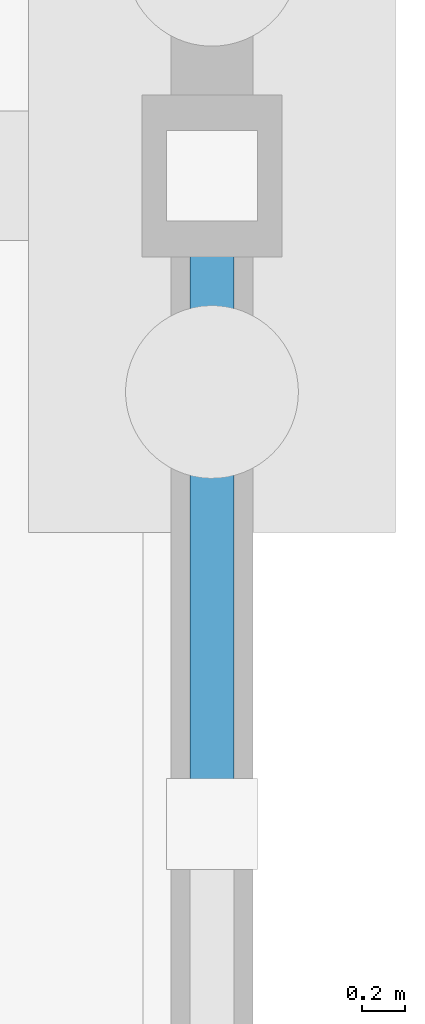
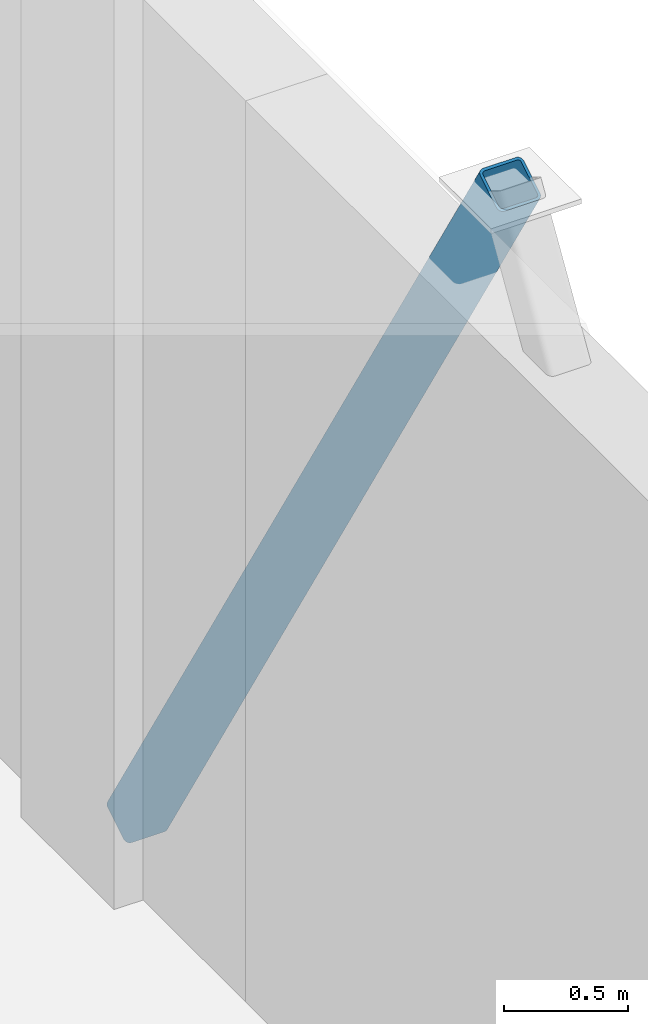
# One storey, part 21 of 69: 1 member.
"""IFC4 building model written with IfcOpenShell, lengths in metres."""

from ifc_helpers import new_model, si_unit, direction, frame, origin, origin_2d, place, context, subcontext, project, spatial, hollow_rectangle, extrude, material, material_profile, profile_set, type_object, element, save


model = new_model("IFC4")

# Units and contexts
model_context = context("Model", 3, precision=1e-05, world=origin(), true_north=direction((0.0, 1.0)))
body_context = subcontext(model_context, "Body", "Model", "MODEL_VIEW")
ifc_project = project(units=[si_unit("LENGTHUNIT", "METRE"), si_unit("AREAUNIT", "SQUARE_METRE"), si_unit("VOLUMEUNIT", "CUBIC_METRE"), si_unit("PLANEANGLEUNIT", "RADIAN"), si_unit("MASSUNIT", "GRAM", prefix="KILO")], contexts=[model_context])

# Site, building, storey
site_placement = place(None, origin())
site = spatial("IfcSite", under=ifc_project, at=site_placement, CompositionType="ELEMENT")
building_placement = place(site_placement, origin())
building = spatial("IfcBuilding", under=site, at=building_placement, Name="Solvane Community Centre", CompositionType="ELEMENT")
storey_placement = place(building_placement, origin())
storey = spatial("IfcBuildingStorey", under=building, at=storey_placement, Name="L00", CompositionType="ELEMENT", Elevation=0.0)

# Member
ifc_material = material(Name="Steel ASTM A572 Grade 50", Category="steel")
ifc_material_profile = material_profile(ifc_material, hollow_rectangle(XDim=0.203125, YDim=0.203125, WallThickness=0.0126953125, InnerFilletRadius=0.0126953125, OuterFilletRadius=0.025390625, at=origin_2d()), Name="HSS 203x203x12.7")
ifc_profile_set = profile_set([ifc_material_profile], Name="Steel ASTM A572 Grade 50")
member_type = type_object("IfcMemberType", Name="Heavy Frame Seismic Brace HSS203", PredefinedType="BRACE", material=ifc_profile_set)
member_placement = place(storey_placement, frame((168.0, 36.0, 0.1201171875), z_axis=(0.0, -0.520613450524, 0.853792501217), x_axis=(1.0, 0.0, 0.0)))
element("IfcMember", 1, at=member_placement, inside=storey, type_object=member_type, Name="Member MEM-L00-0381", PredefinedType="BRACE", context=body_context, shape_type="SweptSolid", body=[
    extrude(hollow_rectangle(XDim=0.203125, YDim=0.203125, WallThickness=0.0126953125, InnerFilletRadius=0.0126953125, OuterFilletRadius=0.025390625, at=origin_2d()), origin(), (0.0, 0.0, 1.0), 5.762451171875),
])

save(model, "model.ifc")
